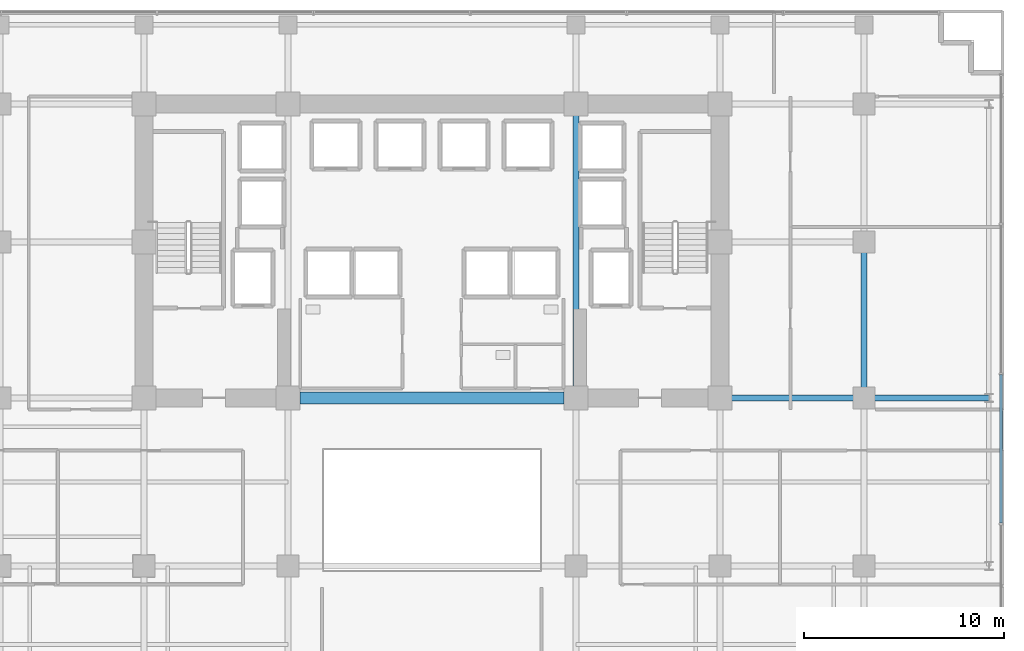
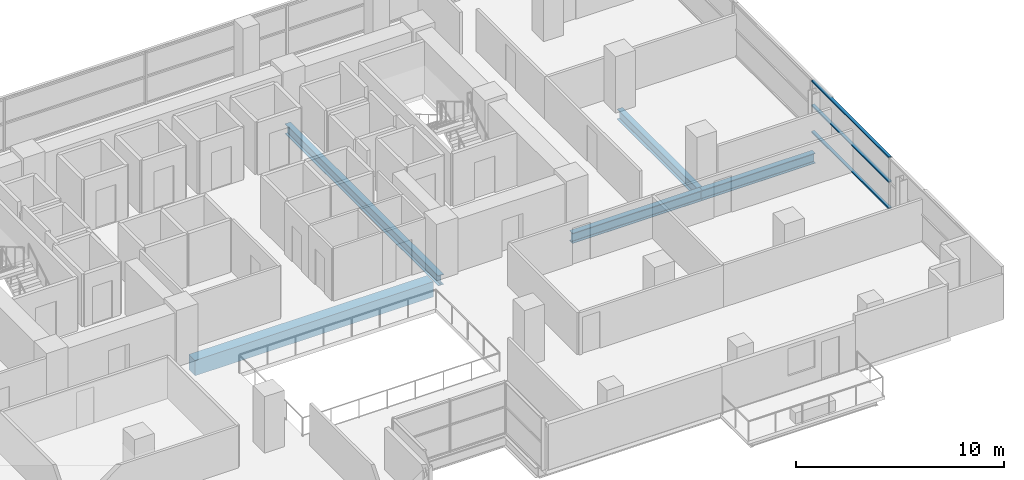
# One storey, part 14 of 30: 5 beams, 3 members, 1 element without a shape of its own.
"""IFC4 building model written with IfcOpenShell, lengths in metres."""

from ifc_helpers import new_model, si_unit, direction, frame, origin, origin_2d, place, context, subcontext, project, spatial, rectangle, hollow_rectangle, i_section, extrude, source, transform, mapped, material, layer, layer_set, material_profile, profile_set, type_object, element, aggregate, save


model = new_model("IFC4")

# Units and contexts
model_context = context("Model", 3, precision=1e-05, world=origin(), true_north=direction((0.0, 1.0)))
body_context = subcontext(model_context, "Body", "Model", "MODEL_VIEW")
ifc_project = project(units=[si_unit("LENGTHUNIT", "METRE"), si_unit("AREAUNIT", "SQUARE_METRE"), si_unit("VOLUMEUNIT", "CUBIC_METRE"), si_unit("PLANEANGLEUNIT", "RADIAN"), si_unit("MASSUNIT", "GRAM", prefix="KILO")], contexts=[model_context])

# Site, building, storey
site_placement = place(None, origin())
site = spatial("IfcSite", under=ifc_project, at=site_placement, CompositionType="ELEMENT")
building_placement = place(site_placement, origin())
building = spatial("IfcBuilding", under=site, at=building_placement, Name="Zarnakvel Exchange Tower", CompositionType="ELEMENT")
storey_placement = place(building_placement, frame((0.0, 0.0, 40.60009765625)))
storey = spatial("IfcBuildingStorey", under=building, at=storey_placement, Name="L10", CompositionType="ELEMENT", Elevation=40.60009765625)

# Beams
ifc_material_1 = material(Name="Concrete C80/95", Category="concrete")
ifc_material_profile_1 = material_profile(ifc_material_1, rectangle(XDim=0.60009765625, YDim=0.89990234375, at=origin_2d()))
ifc_profile_set_1 = profile_set([ifc_material_profile_1], Name="Concrete C80/95")
beam_type_1 = type_object("IfcBeamType", Name="CB-01", PredefinedType="LINTEL", material=ifc_profile_set_1)
beam_1_placement = place(storey_placement, frame((-6.60009765625, -1.199951171875, -0.675048828125), z_axis=(1.0, 0.0, 0.0), x_axis=(0.0, 1.0, 0.0)))
element("IfcBeam", 1, at=beam_1_placement, inside=storey, type_object=beam_type_1, Name="L10 Rear Core South Coupling Beam (CB-01)", PredefinedType="LINTEL", context=body_context, shape_type="SweptSolid", body=[
    extrude(rectangle(XDim=0.60009765625, YDim=0.89990234375, at=origin_2d()), origin(), (0.0, 0.0, 1.0), 13.2001953125),
])
ifc_material_2 = material(Name="Steel S355", Category="steel")
ifc_material_profile_2 = material_profile(ifc_material_2, i_section(OverallWidth=0.300048828125, OverallDepth=0.60009765625, WebThickness=0.015380859375, FlangeThickness=0.030029296875, FilletRadius=0.027099609375, at=origin_2d()))
ifc_profile_set_2 = profile_set([ifc_material_profile_2], Name="Steel S355")
beam_type_2 = type_object("IfcBeamType", Name="G-04", PredefinedType="BEAM", material=ifc_profile_set_2)
beam_2_placement = place(storey_placement, frame((14.39990234375, -1.199951171875, -0.525146484375), z_axis=(1.0, 0.0, 0.0), x_axis=(0.0, 1.0, 0.0)))
element("IfcBeam", 2, at=beam_2_placement, inside=storey, type_object=beam_type_2, Name="L10 Tower E-W Frame Beam", PredefinedType="BEAM", context=body_context, shape_type="SweptSolid", body=[
    extrude(i_section(OverallWidth=0.300048828125, OverallDepth=0.60009765625, WebThickness=0.015380859375, FlangeThickness=0.030029296875, FilletRadius=0.027099609375, at=origin_2d()), origin(), (0.0, 0.0, 1.0), 7.2001953125),
])
beam_3_placement = place(storey_placement, frame((21.60009765625, -1.199951171875, -0.525146484375), z_axis=(1.0, 0.0, 0.0), x_axis=(0.0, 1.0, 0.0)))
element("IfcBeam", 3, at=beam_3_placement, inside=storey, type_object=beam_type_2, Name="L10 Tower E-W Frame Beam", PredefinedType="BEAM", context=body_context, shape_type="SweptSolid", body=[
    extrude(i_section(OverallWidth=0.300048828125, OverallDepth=0.60009765625, WebThickness=0.015380859375, FlangeThickness=0.030029296875, FilletRadius=0.027099609375, at=origin_2d()), origin(), (0.0, 0.0, 1.0), 6.25),
])
beam_4_placement = place(storey_placement, frame((7.199951171875, -1.199951171875, -0.525146484375), z_axis=(0.0, 1.0, 0.0), x_axis=(-1.0, 0.0, 0.0)))
element("IfcBeam", 4, at=beam_4_placement, inside=storey, type_object=beam_type_2, Name="L10 Tower N-S Frame Beam", PredefinedType="BEAM", context=body_context, shape_type="SweptSolid", body=[
    extrude(i_section(OverallWidth=0.300048828125, OverallDepth=0.60009765625, WebThickness=0.015380859375, FlangeThickness=0.030029296875, FilletRadius=0.027099609375, at=origin_2d()), origin(), (0.0, 0.0, 1.0), 14.699951171875),
])
beam_5_placement = place(storey_placement, frame((21.60009765625, -1.199951171875, -0.525146484375), z_axis=(0.0, 1.0, 0.0), x_axis=(-1.0, 0.0, 0.0)))
element("IfcBeam", 5, at=beam_5_placement, inside=storey, type_object=beam_type_2, Name="L10 Tower N-S Frame Beam", PredefinedType="BEAM", context=body_context, shape_type="SweptSolid", body=[
    extrude(i_section(OverallWidth=0.300048828125, OverallDepth=0.60009765625, WebThickness=0.015380859375, FlangeThickness=0.030029296875, FilletRadius=0.027099609375, at=origin_2d()), origin(), (0.0, 0.0, 1.0), 7.800048828125),
])

# Curtain wall, members
ifc_material_3 = material(Name="Architectural Bronze Anodised Aluminium", Category="aluminium")
ifc_layer = layer(ifc_material_3, 0.199951171875)
ifc_layer_set = layer_set([ifc_layer], Name="Architectural Bronze Anodised Aluminium")
curtain_wall_type = type_object("IfcCurtainWallType", Name="CW-04", PredefinedType="NOTDEFINED", material=ifc_layer_set)
curtain_wall_placement = place(storey_placement, origin())
curtain_wall = element("IfcCurtainWall", 6, at=curtain_wall_placement, inside=storey, type_object=curtain_wall_type, Name="L10 Curtain Wall CW-L10-E1 (CW-04)", PredefinedType="NOTDEFINED")
ifc_material_profile_3 = material_profile(ifc_material_3, hollow_rectangle(XDim=0.159912109375, YDim=0.074951171875, WallThickness=0.00390625, at=origin_2d()))
ifc_profile_set_3 = profile_set([ifc_material_profile_3], Name="Architectural Bronze Anodised Aluminium")
member_type = type_object("IfcMemberType", Name="CWT-04", PredefinedType="USERDEFINED", material=ifc_profile_set_3)
shared_shape = source(origin(), body_context, "Body", "SweptSolid", [
    extrude(hollow_rectangle(XDim=0.159912109375, YDim=0.074951171875, WallThickness=0.00390625, at=origin_2d()), origin(), (0.0, 0.0, 1.0), 7.4248046875),
])
member_1_placement = place(storey_placement, frame((28.4599609375, -7.46240234375, 0.037353515625), z_axis=(0.0, 1.0, 0.0), x_axis=(-1.0, 0.0, 0.0)))
member_1 = element("IfcMember", 7, at=member_1_placement, type_object=member_type, Name="CW-04 transom 2.1", ObjectType="TRANSOM", PredefinedType="USERDEFINED", context=body_context, shape_type="MappedRepresentation", body=[
    mapped(shared_shape, transform((0.0, 0.0, 0.0), x_axis=(1.0, 0.0, 0.0), y_axis=(0.0, 1.0, 0.0), z_axis=(0.0, 0.0, 1.0), scale=1.0)),
])
member_2_placement = place(storey_placement, frame((28.4599609375, -7.46240234375, 1.588623046875), z_axis=(0.0, 1.0, 0.0), x_axis=(-1.0, 0.0, 0.0)))
member_2 = element("IfcMember", 8, at=member_2_placement, type_object=member_type, Name="CW-04 transom 2.2", ObjectType="TRANSOM", PredefinedType="USERDEFINED", context=body_context, shape_type="MappedRepresentation", body=[
    mapped(shared_shape, transform((0.0, 0.0, 0.0), x_axis=(1.0, 0.0, 0.0), y_axis=(0.0, 1.0, 0.0), z_axis=(0.0, 0.0, 1.0), scale=1.0)),
])
member_3_placement = place(storey_placement, frame((28.4599609375, -7.46240234375, 3.017333984375), z_axis=(0.0, 1.0, 0.0), x_axis=(-1.0, 0.0, 0.0)))
member_3 = element("IfcMember", 9, at=member_3_placement, type_object=member_type, Name="CW-04 transom 2.3", ObjectType="TRANSOM", PredefinedType="USERDEFINED", context=body_context, shape_type="MappedRepresentation", body=[
    mapped(shared_shape, transform((0.0, 0.0, 0.0), x_axis=(1.0, 0.0, 0.0), y_axis=(0.0, 1.0, 0.0), z_axis=(0.0, 0.0, 1.0), scale=1.0)),
])
aggregate(curtain_wall, [member_1, member_2, member_3])

save(model, "model.ifc")
